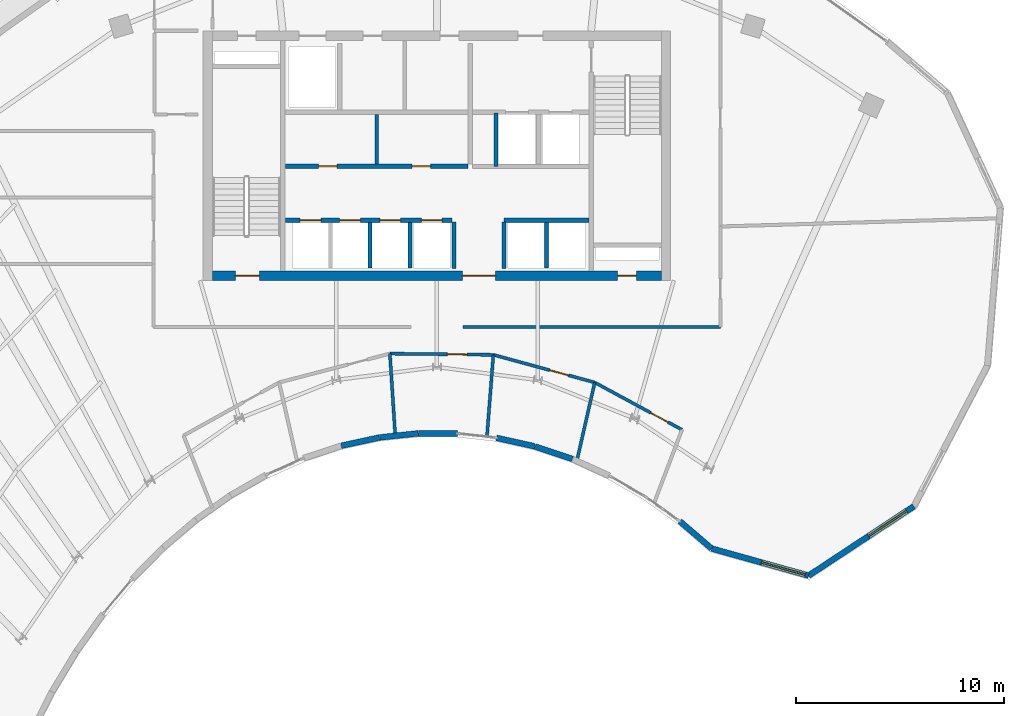
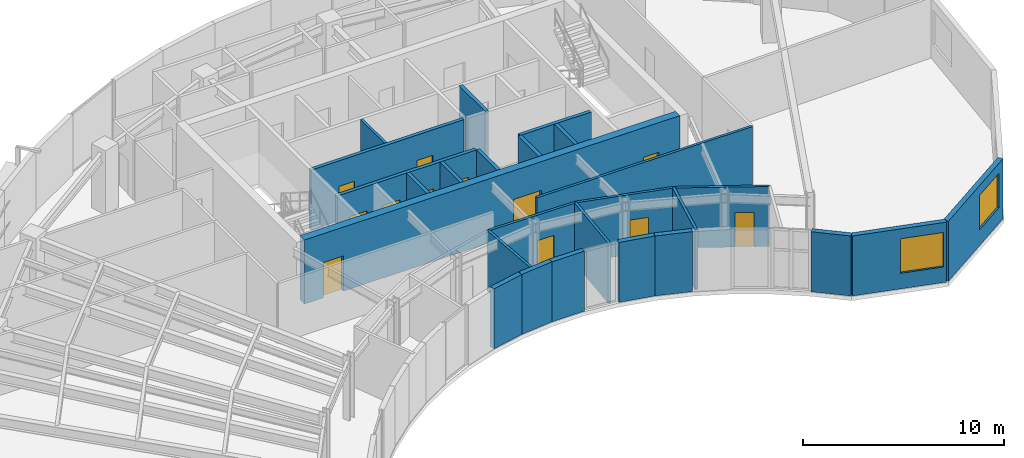
# One storey, part 8 of 12: 26 walls, 12 doors, 2 windows, 14 openings.
"""IFC4 building model written with IfcOpenShell, lengths in metres."""

from ifc_helpers import new_model, si_unit, direction, frame, frame_2d, origin, place, context, subcontext, project, spatial, rectangle, extrude, source, transform, mapped, material, layer, layer_set, type_object, type_shapes, element, fill, save


model = new_model("IFC4")

# Units and contexts
model_context = context("Model", 3, precision=1e-05, world=origin(), true_north=direction((0.0, 1.0)))
body_context = subcontext(model_context, "Body", "Model", "MODEL_VIEW")
ifc_project = project(units=[si_unit("LENGTHUNIT", "METRE"), si_unit("AREAUNIT", "SQUARE_METRE"), si_unit("VOLUMEUNIT", "CUBIC_METRE"), si_unit("PLANEANGLEUNIT", "RADIAN"), si_unit("MASSUNIT", "GRAM", prefix="KILO")], contexts=[model_context])

# Site, building, storey
site_placement = place(None, origin())
site = spatial("IfcSite", under=ifc_project, at=site_placement, CompositionType="ELEMENT")
building_placement = place(site_placement, origin())
building = spatial("IfcBuilding", under=site, at=building_placement, Name="Breltana Convention Tower", CompositionType="ELEMENT")
storey_placement = place(building_placement, frame((0.0, 0.0, 235.199951171875)))
storey = spatial("IfcBuildingStorey", under=building, at=storey_placement, Name="L57", CompositionType="ELEMENT", Elevation=235.199951171875)

# Wall, openings, doors
ifc_material_1 = material(Name="Concrete C60/75", Category="concrete")
ifc_layer_1 = layer(ifc_material_1, 0.449951171875, Name="Concrete C60/75")
ifc_layer_set_1 = layer_set([ifc_layer_1], Name="Concrete C60/75")
wall_type_1 = type_object("IfcWallType", Name="SW-CORE-450", PredefinedType="SHEAR", material=ifc_layer_set_1)
shared_shape_1 = source(origin(), body_context, "Body", "SweptSolid", [
    extrude(rectangle(XDim=21.60009765625, YDim=0.449951171875, at=frame_2d((10.800048828125, 0.0))), origin(), (0.0, 0.0, 1.0), 3.900146484375),
])
wall_1_placement = place(storey_placement, frame((37.199951171875, 60.425048828125, 0.0), z_axis=(0.0, 0.0, 1.0), x_axis=(1.0, 0.0, 0.0)))
wall_1 = element("IfcWall", 1, at=wall_1_placement, inside=storey, type_object=wall_type_1, Name="L57 South Core Shear Wall", PredefinedType="SHEAR", context=body_context, shape_type="MappedRepresentation", body=[
    mapped(shared_shape_1, transform((0.0, 0.0, 0.0), scale=1.0)),
])
opening_1_placement = place(wall_1_placement, frame((1.10009765625, 0.0, 0.0)))
opening_1 = element("IfcOpeningElement", 2, at=opening_1_placement, cuts=wall_1, Name="Opening D-11", PredefinedType="OPENING", context=body_context, shape_type="SweptSolid", body=[
    extrude(rectangle(XDim=1.14990234375, YDim=2.14990234375, at=frame_2d((0.574951171875, 1.074951171875))), frame((0.0, 0.23486328125, 0.0), z_axis=(0.0, -1.0, 0.0), x_axis=(1.0, 0.0, 0.0)), (0.0, 0.0, 1.0), 0.469970703125),
])
opening_2_placement = place(wall_1_placement, frame((19.5, 0.0, 0.0)))
opening_2 = element("IfcOpeningElement", 3, at=opening_2_placement, cuts=wall_1, Name="Opening D-18", PredefinedType="OPENING", context=body_context, shape_type="SweptSolid", body=[
    extrude(rectangle(XDim=0.89990234375, YDim=2.10009765625, at=frame_2d((0.449951171875, 1.050048828125))), frame((0.0, 0.23486328125, 0.0), z_axis=(0.0, -1.0, 0.0), x_axis=(1.0, 0.0, 0.0)), (0.0, 0.0, 1.0), 0.469970703125),
])
opening_3_placement = place(wall_1_placement, frame((12.02001953125, 0.0, 0.0)))
opening_3 = element("IfcOpeningElement", 4, at=opening_3_placement, cuts=wall_1, Name="Opening D-02", PredefinedType="OPENING", context=body_context, shape_type="SweptSolid", body=[
    extrude(rectangle(XDim=1.60009765625, YDim=2.14990234375, at=frame_2d((0.800048828125, 1.074951171875))), frame((0.0, 0.23486328125, 0.0), z_axis=(0.0, -1.0, 0.0), x_axis=(1.0, 0.0, 0.0)), (0.0, 0.0, 1.0), 0.469970703125),
])
ifc_material_2 = material(Name="Steel Stair Exit Door", Category="steel")
door_type_1 = type_object("IfcDoorType", Name="DR-FD120-1150", OperationType="NOTDEFINED", PredefinedType="DOOR", material=ifc_material_2)
shared_shape_2 = source(origin(), body_context, "Body", "SweptSolid", [
    extrude(rectangle(XDim=1.14990234375, YDim=2.14990234375, at=frame_2d((0.574951171875, 1.074951171875))), frame((0.0, 0.02490234375, 0.0), z_axis=(0.0, -1.0, 0.0), x_axis=(1.0, 0.0, 0.0)), (0.0, 0.0, 1.0), 0.050048828125),
])
type_shapes(door_type_1, [shared_shape_2])
door_1_placement = place(opening_1_placement, origin())
door_1 = element("IfcDoor", 5, at=door_1_placement, inside=storey, type_object=door_type_1, Name="L57 interior door D-L57-ST1", OperationType="SINGLE_SWING_LEFT", OverallHeight=2.14990234375, OverallWidth=1.14990234375, PredefinedType="DOOR", context=body_context, shape_type="MappedRepresentation", body=[
    mapped(shared_shape_2, transform((0.0, 0.0, 0.0), scale=1.0)),
])
fill(opening_1, door_1)
ifc_material_3 = material(Name="Steel Riser Fire Door", Category="steel")
door_type_2 = type_object("IfcDoorType", Name="DR-FD60-900", OperationType="NOTDEFINED", PredefinedType="DOOR", material=ifc_material_3)
shared_shape_3 = source(origin(), body_context, "Body", "SweptSolid", [
    extrude(rectangle(XDim=0.89990234375, YDim=2.10009765625, at=frame_2d((0.449951171875, 1.050048828125))), frame((0.0, 0.02490234375, 0.0), z_axis=(0.0, -1.0, 0.0), x_axis=(1.0, 0.0, 0.0)), (0.0, 0.0, 1.0), 0.050048828125),
])
type_shapes(door_type_2, [shared_shape_3])
door_2_placement = place(opening_2_placement, origin())
door_2 = element("IfcDoor", 6, at=door_2_placement, inside=storey, type_object=door_type_2, Name="L57 Core Riser Access Door D-L57-RS2", OperationType="SINGLE_SWING_RIGHT", OverallHeight=2.10009765625, OverallWidth=0.89990234375, PredefinedType="DOOR", context=body_context, shape_type="MappedRepresentation", body=[
    mapped(shared_shape_3, transform((0.0, 0.0, 0.0), scale=1.0)),
])
fill(opening_2, door_2)
ifc_material_4 = material(Name="Steel Glazed Smoke-Control Door", Category="steel")
door_type_3 = type_object("IfcDoorType", Name="DR-DBL-FD90-1600", OperationType="DOUBLE_DOOR_SINGLE_SWING", PredefinedType="DOOR", material=ifc_material_4)
shared_shape_4 = source(origin(), body_context, "Body", "SweptSolid", [
    extrude(rectangle(XDim=1.60009765625, YDim=2.14990234375, at=frame_2d((0.800048828125, 1.074951171875))), frame((0.0, 0.02490234375, 0.0), z_axis=(0.0, -1.0, 0.0), x_axis=(1.0, 0.0, 0.0)), (0.0, 0.0, 1.0), 0.050048828125),
])
type_shapes(door_type_3, [shared_shape_4])
door_3_placement = place(opening_3_placement, origin())
door_3 = element("IfcDoor", 7, at=door_3_placement, inside=storey, type_object=door_type_3, Name="L57 interior door D-L57-LLB-S", OperationType="DOUBLE_DOOR_SINGLE_SWING", OverallHeight=2.14990234375, OverallWidth=1.60009765625, PredefinedType="DOOR", context=body_context, shape_type="MappedRepresentation", body=[
    mapped(shared_shape_4, transform((0.0, 0.0, 0.0), scale=1.0)),
])
fill(opening_3, door_3)

# Wall, opening, window
ifc_material_5 = material(Name="Limestone Buff Insulated Wall", Category="masonry")
ifc_layer_2 = layer(ifc_material_5, 0.280029296875, Name="Limestone Buff Insulated Wall")
ifc_layer_set_2 = layer_set([ifc_layer_2], Name="Limestone Buff Insulated Wall")
wall_type_2 = type_object("IfcWallType", Name="WL-EXT-NOSE-280", PredefinedType="SOLIDWALL", material=ifc_layer_set_2)
shared_shape_5 = source(origin(), body_context, "Body", "SweptSolid", [
    extrude(rectangle(XDim=6.065185546875, YDim=0.280029296875, at=frame_2d((3.03271484375, 0.0))), origin(), (0.0, 0.0, 1.0), 3.650146484375),
])
wall_2_placement = place(storey_placement, frame((70.9541015625, 49.3349609375, 0.0), z_axis=(0.0, 0.0, 1.0), x_axis=(-0.834857303202, -0.550466423399, 0.0)))
wall_2 = element("IfcWall", 8, at=wall_2_placement, inside=storey, type_object=wall_type_2, Name="L57 curved limestone nose wall E4", PredefinedType="SOLIDWALL", context=body_context, shape_type="MappedRepresentation", body=[
    mapped(shared_shape_5, transform((0.0, 0.0, 0.0), scale=1.0)),
])
opening_4_placement = place(wall_2_placement, frame((0.416259765625, 0.0, 0.949951171875)))
opening_4 = element("IfcOpeningElement", 9, at=opening_4_placement, cuts=wall_2, Name="Opening W-03", PredefinedType="OPENING", context=body_context, shape_type="SweptSolid", body=[
    extrude(rectangle(XDim=2.199951171875, YDim=2.10009765625, at=frame_2d((1.10009765625, 1.050048828125))), frame((0.0, 0.14990234375, 0.0), z_axis=(0.0, -1.0, 0.0), x_axis=(1.0, 0.0, 0.0)), (0.0, 0.0, 1.0), 0.300048828125),
])
ifc_material_6 = material(Name="Glass Low-E Insulated Window", Category="glass")
window_type = type_object("IfcWindowType", Name="WN-NOSE-2200X2100", PartitioningType="TRIPLE_PANEL_VERTICAL", PredefinedType="WINDOW", material=ifc_material_6)
shared_shape_6 = source(origin(), body_context, "Body", "SweptSolid", [
    extrude(rectangle(XDim=2.199951171875, YDim=2.10009765625, at=frame_2d((1.10009765625, 1.050048828125))), frame((0.0, 0.030029296875, 0.0), z_axis=(0.0, -1.0, 0.0), x_axis=(1.0, 0.0, 0.0)), (0.0, 0.0, 1.0), 0.06005859375),
])
type_shapes(window_type, [shared_shape_6])
window_1_placement = place(opening_4_placement, origin())
window_1 = element("IfcWindow", 10, at=window_1_placement, inside=storey, type_object=window_type, Name="L57 nose window E4", OverallHeight=2.10009765625, OverallWidth=2.199951171875, PartitioningType="TRIPLE_PANEL_VERTICAL", PredefinedType="WINDOW", context=body_context, shape_type="MappedRepresentation", body=[
    mapped(shared_shape_6, transform((0.0, 0.0, 0.0), scale=1.0)),
])
fill(opening_4, window_1)

shared_shape_7 = source(origin(), body_context, "Body", "SweptSolid", [
    extrude(rectangle(XDim=4.84716796875, YDim=0.280029296875, at=frame_2d((2.423583984375, 0.0))), origin(), (0.0, 0.0, 1.0), 3.650146484375),
])
wall_3_placement = place(storey_placement, frame((65.890625, 45.996337890625, 0.0), z_axis=(0.0, 0.0, 1.0), x_axis=(-0.963208430762, 0.268755500238, 0.0)))
wall_3 = element("IfcWall", 11, at=wall_3_placement, inside=storey, type_object=wall_type_2, Name="L57 curved limestone nose wall E5", PredefinedType="SOLIDWALL", context=body_context, shape_type="MappedRepresentation", body=[
    mapped(shared_shape_7, transform((0.0, 0.0, 0.0), scale=1.0)),
])
opening_5_placement = place(wall_3_placement, frame((0.159912109375, 0.0, 0.949951171875)))
opening_5 = element("IfcOpeningElement", 12, at=opening_5_placement, cuts=wall_3, Name="Opening W-03", PredefinedType="OPENING", context=body_context, shape_type="SweptSolid", body=[
    extrude(rectangle(XDim=2.199951171875, YDim=2.10009765625, at=frame_2d((1.10009765625, 1.050048828125))), frame((0.0, 0.14990234375, 0.0), z_axis=(0.0, -1.0, 0.0), x_axis=(1.0, 0.0, 0.0)), (0.0, 0.0, 1.0), 0.300048828125),
])
window_2_placement = place(opening_5_placement, origin())
window_2 = element("IfcWindow", 13, at=window_2_placement, inside=storey, type_object=window_type, Name="L57 nose window E5", OverallHeight=2.10009765625, OverallWidth=2.199951171875, PartitioningType="TRIPLE_PANEL_VERTICAL", PredefinedType="WINDOW", context=body_context, shape_type="MappedRepresentation", body=[
    mapped(shared_shape_6, transform((0.0, 0.0, 0.0), scale=1.0)),
])
fill(opening_5, window_2)

# Walls
shared_shape_8 = source(origin(), body_context, "Body", "SweptSolid", [
    extrude(rectangle(XDim=2.022216796875, YDim=0.280029296875, at=frame_2d((1.01123046875, 0.0))), origin(), (0.0, 0.0, 1.0), 3.650146484375),
])
wall_4_placement = place(storey_placement, frame((61.2216796875, 47.299072265625, 0.0), z_axis=(0.0, 0.0, 1.0), x_axis=(-0.758343943716, 0.651854633358, 0.0)))
element("IfcWall", 14, at=wall_4_placement, inside=storey, type_object=wall_type_2, Name="L57 curved limestone nose wall E6", PredefinedType="SOLIDWALL", context=body_context, shape_type="MappedRepresentation", body=[
    mapped(shared_shape_8, transform((0.0, 0.0, 0.0), scale=1.0)),
])
shared_shape_9 = source(origin(), body_context, "Body", "SweptSolid", [
    extrude(rectangle(XDim=1.901123046875, YDim=0.280029296875, at=frame_2d((0.95068359375, 0.0))), origin(), (0.0, 0.0, 1.0), 3.650146484375),
])
wall_5_placement = place(storey_placement, frame((54.52294921875, 51.608154296875, 0.0), z_axis=(0.0, 0.0, 1.0), x_axis=(-0.94793587841, 0.318461254194, 0.0)))
element("IfcWall", 15, at=wall_5_placement, inside=storey, type_object=wall_type_2, Name="L57 curved limestone nose wall E8", PredefinedType="SOLIDWALL", context=body_context, shape_type="MappedRepresentation", body=[
    mapped(shared_shape_9, transform((0.0, 0.0, 0.0), scale=1.0)),
])
shared_shape_10 = source(origin(), body_context, "Body", "SweptSolid", [
    extrude(rectangle(XDim=1.877685546875, YDim=0.280029296875, at=frame_2d((0.93896484375, 0.0))), origin(), (0.0, 0.0, 1.0), 3.650146484375),
])
wall_6_placement = place(storey_placement, frame((52.702392578125, 52.21875, 0.0), z_axis=(0.0, 0.0, 1.0), x_axis=(-0.976138082714, 0.217150739061, 0.0)))
element("IfcWall", 16, at=wall_6_placement, inside=storey, type_object=wall_type_2, Name="L57 curved limestone nose wall E9", PredefinedType="SOLIDWALL", context=body_context, shape_type="MappedRepresentation", body=[
    mapped(shared_shape_10, transform((0.0, 0.0, 0.0), scale=1.0)),
])
shared_shape_11 = source(origin(), body_context, "Body", "SweptSolid", [
    extrude(rectangle(XDim=1.858154296875, YDim=0.280029296875, at=frame_2d((0.92919921875, 0.0))), origin(), (0.0, 0.0, 1.0), 3.650146484375),
])
wall_7_placement = place(storey_placement, frame((48.9794921875, 52.837890625, 0.0), z_axis=(0.0, 0.0, 1.0), x_axis=(-0.999995433965, 0.003021928128, 0.0)))
element("IfcWall", 17, at=wall_7_placement, inside=storey, type_object=wall_type_2, Name="L57 curved limestone nose wall E10", PredefinedType="SOLIDWALL", context=body_context, shape_type="MappedRepresentation", body=[
    mapped(shared_shape_11, transform((0.0, 0.0, 0.0), scale=1.0)),
])
shared_shape_12 = source(origin(), body_context, "Body", "SweptSolid", [
    extrude(rectangle(XDim=1.8623046875, YDim=0.280029296875, at=frame_2d((0.93115234375, 0.0))), origin(), (0.0, 0.0, 1.0), 3.650146484375),
])
wall_8_placement = place(storey_placement, frame((47.101806640625, 52.84228515625, 0.0), z_axis=(0.0, 0.0, 1.0), x_axis=(-0.994430497743, -0.1053944266, 0.0)))
element("IfcWall", 18, at=wall_8_placement, inside=storey, type_object=wall_type_2, Name="L57 curved limestone nose wall E11", PredefinedType="SOLIDWALL", context=body_context, shape_type="MappedRepresentation", body=[
    mapped(shared_shape_12, transform((0.0, 0.0, 0.0), scale=1.0)),
])
shared_shape_13 = source(origin(), body_context, "Body", "SweptSolid", [
    extrude(rectangle(XDim=1.876708984375, YDim=0.280029296875, at=frame_2d((0.9384765625, 0.0))), origin(), (0.0, 0.0, 1.0), 3.650146484375),
])
wall_9_placement = place(storey_placement, frame((45.230712890625, 52.642822265625, 0.0), z_axis=(0.0, 0.0, 1.0), x_axis=(-0.97737202312, -0.211527606761, 0.0)))
element("IfcWall", 19, at=wall_9_placement, inside=storey, type_object=wall_type_2, Name="L57 curved limestone nose wall E12", PredefinedType="SOLIDWALL", context=body_context, shape_type="MappedRepresentation", body=[
    mapped(shared_shape_13, transform((0.0, 0.0, 0.0), scale=1.0)),
])
ifc_material_7 = material(Name="Autoclaved Aerated Concrete Block", Category="concrete")
ifc_layer_3 = layer(ifc_material_7, 0.199951171875, Name="Autoclaved Aerated Concrete Block")
ifc_layer_set_3 = layer_set([ifc_layer_3], Name="Autoclaved Aerated Concrete Block")
wall_type_3 = type_object("IfcWallType", Name="WL-SHAFT-200", PredefinedType="SOLIDWALL", material=ifc_layer_set_3)
shared_shape_14 = source(origin(), body_context, "Body", "SweptSolid", [
    extrude(rectangle(XDim=2.239990234375, YDim=0.199951171875, at=frame_2d((1.1201171875, 0.0))), origin(), (0.0, 0.0, 1.0), 3.650146484375),
])
for number, where, z_axis, x_axis, name in (
    (20, (48.820068359375, 60.780029296875, 0.0), (0.0, 0.0, 1.0), (0.0, 1.0, 0.0), "L57 interior partition W-L57-PORT-W"),
    (21, (51.219970703125, 60.780029296875, 0.0), (0.0, 0.0, 1.0), (0.0, 1.0, 0.0), "L57 interior partition W-L57-PORT-E"),
):
    element("IfcWall", number, at=place(storey_placement, frame(where, z_axis=z_axis, x_axis=x_axis)), inside=storey, type_object=wall_type_3, Name=name, PredefinedType="SOLIDWALL", context=body_context, shape_type="MappedRepresentation", body=[
        mapped(shared_shape_14, transform((0.0, 0.0, 0.0), scale=1.0)),
    ])
shared_shape_15 = source(origin(), body_context, "Body", "SweptSolid", [
    extrude(rectangle(XDim=2.580078125, YDim=0.199951171875, at=frame_2d((1.2900390625, 0.0))), origin(), (0.0, 0.0, 1.0), 3.650146484375),
])
wall_10_placement = place(storey_placement, frame((50.85009765625, 65.679931640625, 0.0), z_axis=(0.0, 0.0, 1.0), x_axis=(0.0, 1.0, 0.0)))
element("IfcWall", 22, at=wall_10_placement, inside=storey, type_object=wall_type_3, Name="L57 interior partition W-L57-FL-W", PredefinedType="SOLIDWALL", context=body_context, shape_type="MappedRepresentation", body=[
    mapped(shared_shape_15, transform((0.0, 0.0, 0.0), scale=1.0)),
])

# Wall, openings, doors
shared_shape_16 = source(origin(), body_context, "Body", "SweptSolid", [
    extrude(rectangle(XDim=8.800048828125, YDim=0.199951171875, at=frame_2d((4.39990234375, 0.0))), origin(), (0.0, 0.0, 1.0), 3.650146484375),
])
wall_11_placement = place(storey_placement, frame((40.699951171875, 65.699951171875, 0.0), z_axis=(0.0, 0.0, 1.0), x_axis=(1.0, 0.0, 0.0)))
wall_11 = element("IfcWall", 23, at=wall_11_placement, inside=storey, type_object=wall_type_3, Name="L57 interior partition W-L57-SH-M-FRONT", PredefinedType="SOLIDWALL", context=body_context, shape_type="MappedRepresentation", body=[
    mapped(shared_shape_16, transform((0.0, 0.0, 0.0), scale=1.0)),
])
opening_6_placement = place(wall_11_placement, frame((1.60009765625, 0.0, 0.0)))
opening_6 = element("IfcOpeningElement", 24, at=opening_6_placement, cuts=wall_11, Name="Opening D-18", PredefinedType="OPENING", context=body_context, shape_type="SweptSolid", body=[
    extrude(rectangle(XDim=0.89990234375, YDim=2.10009765625, at=frame_2d((0.449951171875, 1.050048828125))), frame((0.0, 0.10986328125, 0.0), z_axis=(0.0, -1.0, 0.0), x_axis=(1.0, 0.0, 0.0)), (0.0, 0.0, 1.0), 0.219970703125),
])
opening_7_placement = place(wall_11_placement, frame((6.10009765625, 0.0, 0.0)))
opening_7 = element("IfcOpeningElement", 25, at=opening_7_placement, cuts=wall_11, Name="Opening D-18", PredefinedType="OPENING", context=body_context, shape_type="SweptSolid", body=[
    extrude(rectangle(XDim=0.89990234375, YDim=2.10009765625, at=frame_2d((0.449951171875, 1.050048828125))), frame((0.0, 0.10986328125, 0.0), z_axis=(0.0, -1.0, 0.0), x_axis=(1.0, 0.0, 0.0)), (0.0, 0.0, 1.0), 0.219970703125),
])
door_4_placement = place(opening_6_placement, origin())
door_4 = element("IfcDoor", 26, at=door_4_placement, inside=storey, type_object=door_type_2, Name="L57 interior door D-L57-LV7-B2A", OperationType="SINGLE_SWING_LEFT", OverallHeight=2.10009765625, OverallWidth=0.89990234375, PredefinedType="DOOR", context=body_context, shape_type="MappedRepresentation", body=[
    mapped(shared_shape_3, transform((0.0, 0.0, 0.0), scale=1.0)),
])
fill(opening_6, door_4)
door_5_placement = place(opening_7_placement, origin())
door_5 = element("IfcDoor", 27, at=door_5_placement, inside=storey, type_object=door_type_2, Name="L57 interior door D-L57-LV7-B2B", OperationType="SINGLE_SWING_RIGHT", OverallHeight=2.10009765625, OverallWidth=0.89990234375, PredefinedType="DOOR", context=body_context, shape_type="MappedRepresentation", body=[
    mapped(shared_shape_3, transform((0.0, 0.0, 0.0), scale=1.0)),
])
fill(opening_7, door_5)

shared_shape_17 = source(origin(), body_context, "Body", "SweptSolid", [
    extrude(rectangle(XDim=8.02001953125, YDim=0.199951171875, at=frame_2d((4.010009765625, 0.0))), origin(), (0.0, 0.0, 1.0), 3.650146484375),
])
wall_12_placement = place(storey_placement, frame((40.699951171875, 63.10009765625, 0.0), z_axis=(0.0, 0.0, 1.0), x_axis=(1.0, 0.0, 0.0)))
wall_12 = element("IfcWall", 28, at=wall_12_placement, inside=storey, type_object=wall_type_3, Name="L57 interior partition W-L57-SH-S-FRONT", PredefinedType="SOLIDWALL", context=body_context, shape_type="MappedRepresentation", body=[
    mapped(shared_shape_17, transform((0.0, 0.0, 0.0), scale=1.0)),
])
opening_8_placement = place(wall_12_placement, frame((0.719970703125, 0.0, 0.0)))
opening_8 = element("IfcOpeningElement", 29, at=opening_8_placement, cuts=wall_12, Name="Opening LD-04", PredefinedType="OPENING", context=body_context, shape_type="SweptSolid", body=[
    extrude(rectangle(XDim=1.0, YDim=2.14990234375, at=frame_2d((0.5, 1.074951171875))), frame((0.0, 0.10986328125, 0.0), z_axis=(0.0, -1.0, 0.0), x_axis=(1.0, 0.0, 0.0)), (0.0, 0.0, 1.0), 0.219970703125),
])
opening_9_placement = place(wall_12_placement, frame((2.6201171875, 0.0, 0.0)))
opening_9 = element("IfcOpeningElement", 30, at=opening_9_placement, cuts=wall_12, Name="Opening LD-04", PredefinedType="OPENING", context=body_context, shape_type="SweptSolid", body=[
    extrude(rectangle(XDim=1.0, YDim=2.14990234375, at=frame_2d((0.5, 1.074951171875))), frame((0.0, 0.10986328125, 0.0), z_axis=(0.0, -1.0, 0.0), x_axis=(1.0, 0.0, 0.0)), (0.0, 0.0, 1.0), 0.219970703125),
])
opening_10_placement = place(wall_12_placement, frame((4.550048828125, 0.0, 0.0)))
opening_10 = element("IfcOpeningElement", 31, at=opening_10_placement, cuts=wall_12, Name="Opening LD-04", PredefinedType="OPENING", context=body_context, shape_type="SweptSolid", body=[
    extrude(rectangle(XDim=1.0, YDim=2.14990234375, at=frame_2d((0.5, 1.074951171875))), frame((0.0, 0.10986328125, 0.0), z_axis=(0.0, -1.0, 0.0), x_axis=(1.0, 0.0, 0.0)), (0.0, 0.0, 1.0), 0.219970703125),
])
opening_11_placement = place(wall_12_placement, frame((6.550048828125, 0.0, 0.0)))
opening_11 = element("IfcOpeningElement", 32, at=opening_11_placement, cuts=wall_12, Name="Opening LD-04", PredefinedType="OPENING", context=body_context, shape_type="SweptSolid", body=[
    extrude(rectangle(XDim=1.0, YDim=2.14990234375, at=frame_2d((0.5, 1.074951171875))), frame((0.0, 0.10986328125, 0.0), z_axis=(0.0, -1.0, 0.0), x_axis=(1.0, 0.0, 0.0)), (0.0, 0.0, 1.0), 0.219970703125),
])
ifc_material_8 = material(Name="Stainless Steel Brushed", Category="steel")
door_type_4 = type_object("IfcDoorType", Name="DR-LD-PAX-1000", OperationType="DOUBLE_DOOR_SLIDING", PredefinedType="DOOR", material=ifc_material_8)
shared_shape_18 = source(origin(), body_context, "Body", "SweptSolid", [
    extrude(rectangle(XDim=1.0, YDim=2.14990234375, at=frame_2d((0.5, 1.074951171875))), frame((0.0, 0.02490234375, 0.0), z_axis=(0.0, -1.0, 0.0), x_axis=(1.0, 0.0, 0.0)), (0.0, 0.0, 1.0), 0.050048828125),
])
type_shapes(door_type_4, [shared_shape_18])
door_6_placement = place(opening_8_placement, origin())
door_6 = element("IfcDoor", 33, at=door_6_placement, inside=storey, type_object=door_type_4, Name="L57 Lift Landing Door D-L57-LD-S1", OperationType="DOUBLE_DOOR_SLIDING", OverallHeight=2.14990234375, OverallWidth=1.0, PredefinedType="DOOR", context=body_context, shape_type="MappedRepresentation", body=[
    mapped(shared_shape_18, transform((0.0, 0.0, 0.0), scale=1.0)),
])
fill(opening_8, door_6)
door_7_placement = place(opening_9_placement, origin())
door_7 = element("IfcDoor", 34, at=door_7_placement, inside=storey, type_object=door_type_4, Name="L57 Lift Landing Door D-L57-LD-S2", OperationType="DOUBLE_DOOR_SLIDING", OverallHeight=2.14990234375, OverallWidth=1.0, PredefinedType="DOOR", context=body_context, shape_type="MappedRepresentation", body=[
    mapped(shared_shape_18, transform((0.0, 0.0, 0.0), scale=1.0)),
])
fill(opening_9, door_7)
door_8_placement = place(opening_10_placement, origin())
door_8 = element("IfcDoor", 35, at=door_8_placement, inside=storey, type_object=door_type_4, Name="L57 Lift Landing Door D-L57-LD-S3", OperationType="DOUBLE_DOOR_SLIDING", OverallHeight=2.14990234375, OverallWidth=1.0, PredefinedType="DOOR", context=body_context, shape_type="MappedRepresentation", body=[
    mapped(shared_shape_18, transform((0.0, 0.0, 0.0), scale=1.0)),
])
fill(opening_10, door_8)
door_9_placement = place(opening_11_placement, origin())
door_9 = element("IfcDoor", 36, at=door_9_placement, inside=storey, type_object=door_type_4, Name="L57 Lift Landing Door D-L57-LD-S4", OperationType="DOUBLE_DOOR_SLIDING", OverallHeight=2.14990234375, OverallWidth=1.0, PredefinedType="DOOR", context=body_context, shape_type="MappedRepresentation", body=[
    mapped(shared_shape_18, transform((0.0, 0.0, 0.0), scale=1.0)),
])
fill(opening_11, door_9)

# Walls
shared_shape_19 = source(origin(), body_context, "Body", "SweptSolid", [
    extrude(rectangle(XDim=4.10009765625, YDim=0.199951171875, at=frame_2d((2.050048828125, 0.0))), origin(), (0.0, 0.0, 1.0), 3.650146484375),
])
wall_13_placement = place(storey_placement, frame((51.219970703125, 63.10009765625, 0.0), z_axis=(0.0, 0.0, 1.0), x_axis=(1.0, 0.0, 0.0)))
element("IfcWall", 37, at=wall_13_placement, inside=storey, type_object=wall_type_3, Name="L57 interior partition W-L57-SH-X-FRONT", PredefinedType="SOLIDWALL", context=body_context, shape_type="MappedRepresentation", body=[
    mapped(shared_shape_19, transform((0.0, 0.0, 0.0), scale=1.0)),
])
shared_shape_20 = source(origin(), body_context, "Body", "SweptSolid", [
    extrude(rectangle(XDim=2.199951171875, YDim=0.199951171875, at=frame_2d((1.10009765625, 0.0))), origin(), (0.0, 0.0, 1.0), 3.650146484375),
])
for number, where, z_axis, x_axis, name in (
    (38, (44.77001953125, 60.800048828125, 0.0), (0.0, 0.0, 1.0), (0.0, 1.0, 0.0), "L57 interior partition W-L57-SH-S-DIV2"),
    (39, (46.699951171875, 60.800048828125, 0.0), (0.0, 0.0, 1.0), (0.0, 1.0, 0.0), "L57 interior partition W-L57-SH-S-DIV3"),
    (40, (53.280029296875, 60.800048828125, 0.0), (0.0, 0.0, 1.0), (0.0, 1.0, 0.0), "L57 interior partition W-L57-SH-X-DIV"),
):
    element("IfcWall", number, at=place(storey_placement, frame(where, z_axis=z_axis, x_axis=x_axis)), inside=storey, type_object=wall_type_3, Name=name, PredefinedType="SOLIDWALL", context=body_context, shape_type="MappedRepresentation", body=[
        mapped(shared_shape_20, transform((0.0, 0.0, 0.0), scale=1.0)),
    ])
ifc_material_9 = material(Name="Gypsum Acoustic Drywall Partition")
ifc_layer_4 = layer(ifc_material_9, 0.14990234375, Name="Gypsum Acoustic Drywall Partition")
ifc_layer_set_4 = layer_set([ifc_layer_4], Name="Gypsum Acoustic Drywall Partition")
wall_type_4 = type_object("IfcWallType", Name="WL-PART-150", PredefinedType="PARTITIONING", material=ifc_layer_set_4)
shared_shape_21 = source(origin(), body_context, "Body", "SweptSolid", [
    extrude(rectangle(XDim=2.39990234375, YDim=0.14990234375, at=frame_2d((1.199951171875, 0.0))), origin(), (0.0, 0.0, 1.0), 3.650146484375),
])
wall_14_placement = place(storey_placement, frame((45.10009765625, 65.800048828125, 0.0), z_axis=(0.0, 0.0, 1.0), x_axis=(0.0, 1.0, 0.0)))
element("IfcWall", 41, at=wall_14_placement, inside=storey, type_object=wall_type_4, Name="L57 interior partition W-L57-LV7-B2-DIV", PredefinedType="PARTITIONING", context=body_context, shape_type="MappedRepresentation", body=[
    mapped(shared_shape_21, transform((0.0, 0.0, 0.0), scale=1.0)),
])
shared_shape_22 = source(origin(), body_context, "Body", "SweptSolid", [
    extrude(rectangle(XDim=3.9541015625, YDim=0.14990234375, at=frame_2d((1.97705078125, 0.0))), origin(), (0.0, 0.0, 1.0), 3.650146484375),
])
wall_15_placement = place(storey_placement, frame((45.993408203125, 52.73486328125, 0.0), z_axis=(0.0, 0.0, 1.0), x_axis=(-0.065199424581, 0.997872253865, 0.0)))
element("IfcWall", 42, at=wall_15_placement, inside=storey, type_object=wall_type_4, Name="L57 interior partition W-L57-ES2-RB", PredefinedType="PARTITIONING", context=body_context, shape_type="MappedRepresentation", body=[
    mapped(shared_shape_22, transform((0.0, 0.0, 0.0), scale=1.0)),
])

# Wall, opening, door
shared_shape_23 = source(origin(), body_context, "Body", "SweptSolid", [
    extrude(rectangle(XDim=4.980224609375, YDim=0.14990234375, at=frame_2d((2.490234375, 0.0))), origin(), (0.0, 0.0, 1.0), 3.650146484375),
])
wall_16_placement = place(storey_placement, frame((45.735595703125, 56.6806640625, 0.0), z_axis=(0.0, 0.0, 1.0), x_axis=(0.999931938048, -0.011667016436, 0.0)))
wall_16 = element("IfcWall", 43, at=wall_16_placement, inside=storey, type_object=wall_type_4, Name="L57 interior partition W-L57-ES3-COR", PredefinedType="PARTITIONING", context=body_context, shape_type="MappedRepresentation", body=[
    mapped(shared_shape_23, transform((0.0, 0.0, 0.0), scale=1.0)),
])
opening_12_placement = place(wall_16_placement, frame((2.76513671875, 0.0, 0.0)))
opening_12 = element("IfcOpeningElement", 44, at=opening_12_placement, cuts=wall_16, Name="Opening D-17", PredefinedType="OPENING", context=body_context, shape_type="SweptSolid", body=[
    extrude(rectangle(XDim=0.949951171875, YDim=2.10009765625, at=frame_2d((0.47509765625, 1.050048828125))), frame((0.0, 0.0849609375, 0.0), z_axis=(0.0, -1.0, 0.0), x_axis=(1.0, 0.0, 0.0)), (0.0, 0.0, 1.0), 0.169921875),
])
ifc_material_10 = material(Name="Timber Oak Veneer Door", Category="wood")
door_type_5 = type_object("IfcDoorType", Name="DR-INT-950", OperationType="NOTDEFINED", PredefinedType="DOOR", material=ifc_material_10)
shared_shape_24 = source(origin(), body_context, "Body", "SweptSolid", [
    extrude(rectangle(XDim=0.949951171875, YDim=2.10009765625, at=frame_2d((0.47509765625, 1.050048828125))), frame((0.0, 0.02490234375, 0.0), z_axis=(0.0, -1.0, 0.0), x_axis=(1.0, 0.0, 0.0)), (0.0, 0.0, 1.0), 0.050048828125),
])
type_shapes(door_type_5, [shared_shape_24])
door_10_placement = place(opening_12_placement, origin())
door_10 = element("IfcDoor", 45, at=door_10_placement, inside=storey, type_object=door_type_5, Name="L57 interior door D-L57-ES3", OperationType="SINGLE_SWING_LEFT", OverallHeight=2.10009765625, OverallWidth=0.949951171875, PredefinedType="DOOR", context=body_context, shape_type="MappedRepresentation", body=[
    mapped(shared_shape_24, transform((0.0, 0.0, 0.0), scale=1.0)),
])
fill(opening_12, door_10)

# Wall
shared_shape_25 = source(origin(), body_context, "Body", "SweptSolid", [
    extrude(rectangle(XDim=3.9453125, YDim=0.14990234375, at=frame_2d((1.97265625, 0.0))), origin(), (0.0, 0.0, 1.0), 3.650146484375),
])
wall_17_placement = place(storey_placement, frame((50.4072265625, 52.689208984375, 0.0), z_axis=(0.0, 0.0, 1.0), x_axis=(0.07815386217, 0.996941309119, 0.0)))
element("IfcWall", 46, at=wall_17_placement, inside=storey, type_object=wall_type_4, Name="L57 interior partition W-L57-ES3-RB", PredefinedType="PARTITIONING", context=body_context, shape_type="MappedRepresentation", body=[
    mapped(shared_shape_25, transform((0.0, 0.0, 0.0), scale=1.0)),
])

# Wall, opening, door
shared_shape_26 = source(origin(), body_context, "Body", "SweptSolid", [
    extrude(rectangle(XDim=5.058349609375, YDim=0.14990234375, at=frame_2d((2.529296875, 0.0))), origin(), (0.0, 0.0, 1.0), 3.650146484375),
])
wall_18_placement = place(storey_placement, frame((50.715576171875, 56.62255859375, 0.0), z_axis=(0.0, 0.0, 1.0), x_axis=(0.964782753739, -0.263047976781, 0.0)))
wall_18 = element("IfcWall", 47, at=wall_18_placement, inside=storey, type_object=wall_type_4, Name="L57 interior partition W-L57-ES4-COR", PredefinedType="PARTITIONING", context=body_context, shape_type="MappedRepresentation", body=[
    mapped(shared_shape_26, transform((0.0, 0.0, 0.0), scale=1.0)),
])
opening_13_placement = place(wall_18_placement, frame((2.80419921875, 0.0, 0.0)))
opening_13 = element("IfcOpeningElement", 48, at=opening_13_placement, cuts=wall_18, Name="Opening D-17", PredefinedType="OPENING", context=body_context, shape_type="SweptSolid", body=[
    extrude(rectangle(XDim=0.949951171875, YDim=2.10009765625, at=frame_2d((0.47509765625, 1.050048828125))), frame((0.0, 0.0849609375, 0.0), z_axis=(0.0, -1.0, 0.0), x_axis=(1.0, 0.0, 0.0)), (0.0, 0.0, 1.0), 0.169921875),
])
door_11_placement = place(opening_13_placement, origin())
door_11 = element("IfcDoor", 49, at=door_11_placement, inside=storey, type_object=door_type_5, Name="L57 interior door D-L57-ES4", OperationType="SINGLE_SWING_RIGHT", OverallHeight=2.10009765625, OverallWidth=0.949951171875, PredefinedType="DOOR", context=body_context, shape_type="MappedRepresentation", body=[
    mapped(shared_shape_24, transform((0.0, 0.0, 0.0), scale=1.0)),
])
fill(opening_13, door_11)

# Wall
shared_shape_27 = source(origin(), body_context, "Body", "SweptSolid", [
    extrude(rectangle(XDim=3.865234375, YDim=0.14990234375, at=frame_2d((1.9326171875, 0.0))), origin(), (0.0, 0.0, 1.0), 3.650146484375),
])
wall_19_placement = place(storey_placement, frame((54.736083984375, 51.5234375, 0.0), z_axis=(0.0, 0.0, 1.0), x_axis=(0.222390882477, 0.974957586458, 0.0)))
element("IfcWall", 50, at=wall_19_placement, inside=storey, type_object=wall_type_4, Name="L57 interior partition W-L57-ES4-RB", PredefinedType="PARTITIONING", context=body_context, shape_type="MappedRepresentation", body=[
    mapped(shared_shape_27, transform((0.0, 0.0, 0.0), scale=1.0)),
])

# Wall, opening, door
shared_shape_28 = source(origin(), body_context, "Body", "SweptSolid", [
    extrude(rectangle(XDim=4.77490234375, YDim=0.14990234375, at=frame_2d((2.387451171875, 0.0))), origin(), (0.0, 0.0, 1.0), 3.650146484375),
])
wall_20_placement = place(storey_placement, frame((55.595703125, 55.2919921875, 0.0), z_axis=(0.0, 0.0, 1.0), x_axis=(0.879401686059, -0.476080533688, 0.0)))
wall_20 = element("IfcWall", 51, at=wall_20_placement, inside=storey, type_object=wall_type_4, Name="L57 interior partition W-L57-ES5-COR", PredefinedType="PARTITIONING", context=body_context, shape_type="MappedRepresentation", body=[
    mapped(shared_shape_28, transform((0.0, 0.0, 0.0), scale=1.0)),
])
opening_14_placement = place(wall_20_placement, frame((3.0625, 0.0, 0.0)))
opening_14 = element("IfcOpeningElement", 52, at=opening_14_placement, cuts=wall_20, Name="Opening D-17", PredefinedType="OPENING", context=body_context, shape_type="SweptSolid", body=[
    extrude(rectangle(XDim=0.949951171875, YDim=2.10009765625, at=frame_2d((0.47509765625, 1.050048828125))), frame((0.0, 0.0849609375, 0.0), z_axis=(0.0, -1.0, 0.0), x_axis=(1.0, 0.0, 0.0)), (0.0, 0.0, 1.0), 0.169921875),
])
door_12_placement = place(opening_14_placement, origin())
door_12 = element("IfcDoor", 53, at=door_12_placement, inside=storey, type_object=door_type_5, Name="L57 interior door D-L57-ES5", OperationType="SINGLE_SWING_LEFT", OverallHeight=2.10009765625, OverallWidth=0.949951171875, PredefinedType="DOOR", context=body_context, shape_type="MappedRepresentation", body=[
    mapped(shared_shape_24, transform((0.0, 0.0, 0.0), scale=1.0)),
])
fill(opening_14, door_12)

# Wall
shared_shape_29 = source(origin(), body_context, "Body", "SweptSolid", [
    extrude(rectangle(XDim=12.389892578125, YDim=0.14990234375, at=frame_2d((6.19482421875, 0.0))), origin(), (0.0, 0.0, 1.0), 3.650146484375),
])
wall_21_placement = place(storey_placement, frame((49.25, 57.9599609375, 0.0), z_axis=(0.0, 0.0, 1.0), x_axis=(1.0, 0.0, 0.0)))
element("IfcWall", 54, at=wall_21_placement, inside=storey, type_object=wall_type_4, Name="L57 interior partition W-L57-Z45-CSE", PredefinedType="PARTITIONING", context=body_context, shape_type="MappedRepresentation", body=[
    mapped(shared_shape_29, transform((0.0, 0.0, 0.0), scale=1.0)),
])

save(model, "model.ifc")
